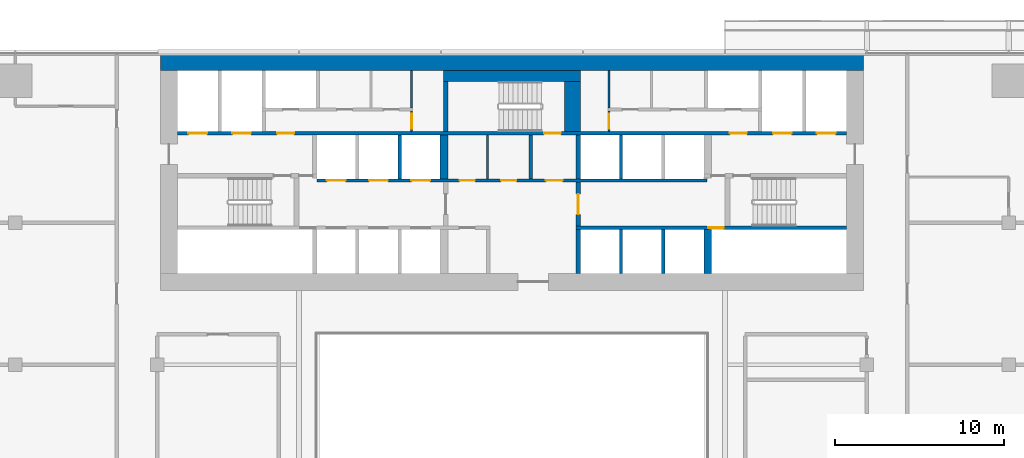
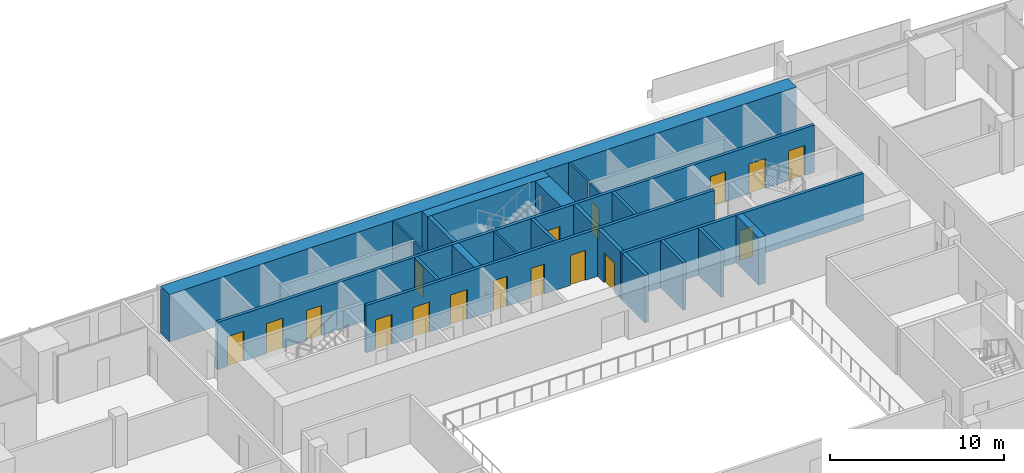
# One storey, part 22 of 30: 22 walls, 17 doors, 17 openings.
"""IFC4 building model written with IfcOpenShell, lengths in metres."""

from ifc_helpers import new_model, si_unit, direction, frame, frame_2d, origin, place, context, subcontext, project, spatial, rectangle, extrude, material, layer, layer_set, type_object, element, fill, save


model = new_model("IFC4")

# Units and contexts
model_context = context("Model", 3, precision=1e-05, world=origin(), true_north=direction((0.0, 1.0)))
body_context = subcontext(model_context, "Body", "Model", "MODEL_VIEW")
ifc_project = project(units=[si_unit("LENGTHUNIT", "METRE"), si_unit("AREAUNIT", "SQUARE_METRE"), si_unit("VOLUMEUNIT", "CUBIC_METRE"), si_unit("PLANEANGLEUNIT", "RADIAN"), si_unit("MASSUNIT", "GRAM", prefix="KILO")], contexts=[model_context])

# Site, building, storey
site_placement = place(None, origin())
site = spatial("IfcSite", under=ifc_project, at=site_placement, CompositionType="ELEMENT")
building_placement = place(site_placement, origin())
building = spatial("IfcBuilding", under=site, at=building_placement, Name="Saffron Gate Tower", CompositionType="ELEMENT")
storey_placement = place(building_placement, frame((0.0, 0.0, 95.25)))
storey = spatial("IfcBuildingStorey", under=building, at=storey_placement, Name="L21", CompositionType="ELEMENT", Elevation=95.25)

# Walls
ifc_material_1 = material(Name="Gypsum board partition on steel studs", Category="steel")
ifc_layer_1 = layer(ifc_material_1, 0.199951171875)
ifc_layer_set_1 = layer_set([ifc_layer_1], Name="CW10 Core partition 200")
wall_type_1 = type_object("IfcWallType", Name="CW10 Core partition 200", PredefinedType="PARTITIONING", material=ifc_layer_set_1)
wall_1_placement = place(storey_placement, frame((88.699951171875, 68.0, 0.0), z_axis=(0.0, 0.0, 1.0), x_axis=(0.0, 1.0, 0.0)))
element("IfcWall", 1, at=wall_1_placement, inside=storey, type_object=wall_type_1, Name="Wall CW10-L21-25", PredefinedType="PARTITIONING", context=body_context, shape_type="SweptSolid", body=[
    extrude(rectangle(XDim=2.60009765625, YDim=0.199951171875, at=frame_2d((1.300048828125, 0.0))), origin(), (0.0, 0.0, 1.0), 3.320068359375),
])
ifc_material_2 = material(Name="Concrete C70", Category="concrete")
ifc_layer_2 = layer(ifc_material_2, 1.0)
ifc_layer_set_2 = layer_set([ifc_layer_2], Name="CW12 RC core wall 1000 C70")
wall_type_2 = type_object("IfcWallType", Name="CW12 RC core wall 1000 C70", PredefinedType="SOLIDWALL", material=ifc_layer_set_2)
wall_2_placement = place(storey_placement, frame((66.800048828125, 74.89990234375, 0.0), z_axis=(0.0, 0.0, 1.0), x_axis=(1.0, 0.0, 0.0)))
element("IfcWall", 2, at=wall_2_placement, inside=storey, type_object=wall_type_2, Name="Wall CW12-L21-2", PredefinedType="SOLIDWALL", context=body_context, shape_type="SweptSolid", body=[
    extrude(rectangle(XDim=41.599853515625, YDim=1.0, at=frame_2d((20.7998046875, 0.0))), origin(), (0.0, 0.0, 1.0), 3.320068359375),
])
ifc_layer_3 = layer(ifc_material_2, 0.25)
ifc_layer_set_3 = layer_set([ifc_layer_3], Name="CW2 RC core wall 250 C70")
wall_type_3 = type_object("IfcWallType", Name="CW2 RC core wall 250 C70", PredefinedType="SOLIDWALL", material=ifc_layer_set_3)
wall_3_placement = place(storey_placement, frame((91.52490234375, 62.39990234375, 0.0), z_axis=(0.0, 0.0, 1.0), x_axis=(0.0, 1.0, 0.0)))
element("IfcWall", 3, at=wall_3_placement, inside=storey, type_object=wall_type_3, Name="Wall CW2-L21-10", PredefinedType="SOLIDWALL", context=body_context, shape_type="SweptSolid", body=[
    extrude(rectangle(XDim=2.60009765625, YDim=0.25, at=frame_2d((1.300048828125, 0.0))), origin(), (0.0, 0.0, 1.0), 3.320068359375),
])

# Wall, opening, door
wall_4_placement = place(storey_placement, frame((91.52490234375, 65.199951171875, 0.0), z_axis=(0.0, 0.0, 1.0), x_axis=(0.0, 1.0, 0.0)))
wall_4 = element("IfcWall", 4, at=wall_4_placement, inside=storey, type_object=wall_type_3, Name="Wall CW2-L21-18", PredefinedType="SOLIDWALL", context=body_context, shape_type="SweptSolid", body=[
    extrude(rectangle(XDim=2.60009765625, YDim=0.25, at=frame_2d((1.300048828125, 0.0))), origin(), (0.0, 0.0, 1.0), 3.320068359375),
])
opening_1_placement = place(wall_4_placement, frame((0.699951171875, 0.0, 0.0)))
opening_1 = element("IfcOpeningElement", 5, at=opening_1_placement, cuts=wall_4, Name="Opening CR-01", PredefinedType="OPENING", context=body_context, shape_type="SweptSolid", body=[
    extrude(rectangle(XDim=1.199951171875, YDim=2.10009765625, at=frame_2d((0.60009765625, 1.050048828125))), frame((0.0, 0.135009765625, 0.0), z_axis=(0.0, -1.0, 0.0), x_axis=(1.0, 0.0, 0.0)), (0.0, 0.0, 1.0), 0.27001953125),
])
ifc_material_3 = material(Name="Steel fire door set", Category="steel")
door_type_1 = type_object("IfcDoorType", Name="CD3 Lobby door 1200x2100 EI 120", OperationType="NOTDEFINED", PredefinedType="DOOR", material=ifc_material_3)
door_1_placement = place(opening_1_placement, origin())
door_1 = element("IfcDoor", 6, at=door_1_placement, inside=storey, type_object=door_type_1, Name="DOOR CR-01", OperationType="SINGLE_SWING_RIGHT", OverallHeight=2.10009765625, OverallWidth=1.199951171875, PredefinedType="DOOR", context=body_context, shape_type="SweptSolid", body=[
    extrude(rectangle(XDim=1.199951171875, YDim=2.10009765625, at=frame_2d((0.60009765625, 1.050048828125))), frame((0.0, 0.02490234375, 0.0), z_axis=(0.0, -1.0, 0.0), x_axis=(1.0, 0.0, 0.0)), (0.0, 0.0, 1.0), 0.050048828125),
])
fill(opening_1, door_1)

# Walls
wall_5_placement = place(storey_placement, frame((91.52490234375, 68.0, 0.0), z_axis=(0.0, 0.0, 1.0), x_axis=(0.0, 1.0, 0.0)))
element("IfcWall", 7, at=wall_5_placement, inside=storey, type_object=wall_type_3, Name="Wall CW2-L21-26", PredefinedType="SOLIDWALL", context=body_context, shape_type="SweptSolid", body=[
    extrude(rectangle(XDim=2.60009765625, YDim=0.25, at=frame_2d((1.300048828125, 0.0))), origin(), (0.0, 0.0, 1.0), 3.320068359375),
])
wall_6_placement = place(storey_placement, frame((83.675048828125, 70.800048828125, 0.0), z_axis=(0.0, 0.0, 1.0), x_axis=(0.0, 1.0, 0.0)))
element("IfcWall", 8, at=wall_6_placement, inside=storey, type_object=wall_type_3, Name="Wall CW2-L21-38", PredefinedType="SOLIDWALL", context=body_context, shape_type="SweptSolid", body=[
    extrude(rectangle(XDim=2.949951171875, YDim=0.25, at=frame_2d((1.47509765625, 0.0))), origin(), (0.0, 0.0, 1.0), 3.320068359375),
])
ifc_layer_4 = layer(ifc_material_2, 0.199951171875)
ifc_layer_set_4 = layer_set([ifc_layer_4], Name="CW3 RC core wall 200 C70")
wall_type_4 = type_object("IfcWallType", Name="CW3 RC core wall 200 C70", PredefinedType="SOLIDWALL", material=ifc_layer_set_4)
for number, where, z_axis, x_axis, name in (
    (9, (94.050048828125, 62.39990234375, 0.0), (0.0, 0.0, 1.0), (0.0, 1.0, 0.0), "Wall CW3-L21-11"),
    (10, (96.550048828125, 62.39990234375, 0.0), (0.0, 0.0, 1.0), (0.0, 1.0, 0.0), "Wall CW3-L21-12"),
):
    element("IfcWall", number, at=place(storey_placement, frame(where, z_axis=z_axis, x_axis=x_axis)), inside=storey, type_object=wall_type_4, Name=name, PredefinedType="SOLIDWALL", context=body_context, shape_type="SweptSolid", body=[
        extrude(rectangle(XDim=2.60009765625, YDim=0.199951171875, at=frame_2d((1.300048828125, 0.0))), origin(), (0.0, 0.0, 1.0), 3.320068359375),
    ])

# Wall, opening, door
wall_7_placement = place(storey_placement, frame((91.39990234375, 65.10009765625, 0.0), z_axis=(0.0, 0.0, 1.0), x_axis=(1.0, 0.0, 0.0)))
wall_7 = element("IfcWall", 11, at=wall_7_placement, inside=storey, type_object=wall_type_4, Name="Wall CW3-L21-15", PredefinedType="SOLIDWALL", context=body_context, shape_type="SweptSolid", body=[
    extrude(rectangle(XDim=16.0, YDim=0.199951171875, at=frame_2d((8.0, 0.0))), origin(), (0.0, 0.0, 1.0), 3.320068359375),
])
opening_2_placement = place(wall_7_placement, frame((7.830078125, 0.0, 0.0)))
opening_2 = element("IfcOpeningElement", 12, at=opening_2_placement, cuts=wall_7, Name="Opening CR-48", PredefinedType="OPENING", context=body_context, shape_type="SweptSolid", body=[
    extrude(rectangle(XDim=0.89990234375, YDim=2.10009765625, at=frame_2d((0.449951171875, 1.050048828125))), frame((0.0, 0.10986328125, 0.0), z_axis=(0.0, -1.0, 0.0), x_axis=(1.0, 0.0, 0.0)), (0.0, 0.0, 1.0), 0.219970703125),
])
door_type_2 = type_object("IfcDoorType", Name="CD2 Riser door 900x2100 EI 60", OperationType="NOTDEFINED", PredefinedType="DOOR", material=ifc_material_3)
door_2_placement = place(opening_2_placement, origin())
door_2 = element("IfcDoor", 13, at=door_2_placement, inside=storey, type_object=door_type_2, Name="DOOR CR-48", OperationType="SINGLE_SWING_RIGHT", OverallHeight=2.10009765625, OverallWidth=0.89990234375, PredefinedType="DOOR", context=body_context, shape_type="SweptSolid", body=[
    extrude(rectangle(XDim=0.89990234375, YDim=2.10009765625, at=frame_2d((0.449951171875, 1.050048828125))), frame((0.0, 0.02490234375, 0.0), z_axis=(0.0, -1.0, 0.0), x_axis=(1.0, 0.0, 0.0)), (0.0, 0.0, 1.0), 0.050048828125),
])
fill(opening_2, door_2)

# Wall, openings, doors
wall_8_placement = place(storey_placement, frame((76.050048828125, 67.89990234375, 0.0), z_axis=(0.0, 0.0, 1.0), x_axis=(1.0, 0.0, 0.0)))
wall_8 = element("IfcWall", 14, at=wall_8_placement, inside=storey, type_object=wall_type_4, Name="Wall CW3-L21-20", PredefinedType="SOLIDWALL", context=body_context, shape_type="SweptSolid", body=[
    extrude(rectangle(XDim=23.099853515625, YDim=0.199951171875, at=frame_2d((11.5498046875, 0.0))), origin(), (0.0, 0.0, 1.0), 3.320068359375),
])
opening_3_placement = place(wall_8_placement, frame((0.60009765625, 0.0, 0.0)))
opening_3 = element("IfcOpeningElement", 15, at=opening_3_placement, cuts=wall_8, Name="Opening LD-LR4", PredefinedType="OPENING", context=body_context, shape_type="SweptSolid", body=[
    extrude(rectangle(XDim=1.10009765625, YDim=2.10009765625, at=frame_2d((0.550048828125, 1.050048828125))), frame((0.0, 0.10986328125, 0.0), z_axis=(0.0, -1.0, 0.0), x_axis=(1.0, 0.0, 0.0)), (0.0, 0.0, 1.0), 0.219970703125),
])
opening_4_placement = place(wall_8_placement, frame((3.10009765625, 0.0, 0.0)))
opening_4 = element("IfcOpeningElement", 16, at=opening_4_placement, cuts=wall_8, Name="Opening LD-LR5", PredefinedType="OPENING", context=body_context, shape_type="SweptSolid", body=[
    extrude(rectangle(XDim=1.10009765625, YDim=2.10009765625, at=frame_2d((0.550048828125, 1.050048828125))), frame((0.0, 0.10986328125, 0.0), z_axis=(0.0, -1.0, 0.0), x_axis=(1.0, 0.0, 0.0)), (0.0, 0.0, 1.0), 0.219970703125),
])
opening_5_placement = place(wall_8_placement, frame((5.60009765625, 0.0, 0.0)))
opening_5 = element("IfcOpeningElement", 17, at=opening_5_placement, cuts=wall_8, Name="Opening LD-LR6", PredefinedType="OPENING", context=body_context, shape_type="SweptSolid", body=[
    extrude(rectangle(XDim=1.10009765625, YDim=2.10009765625, at=frame_2d((0.550048828125, 1.050048828125))), frame((0.0, 0.10986328125, 0.0), z_axis=(0.0, -1.0, 0.0), x_axis=(1.0, 0.0, 0.0)), (0.0, 0.0, 1.0), 0.219970703125),
])
opening_6_placement = place(wall_8_placement, frame((8.449951171875, 0.0, 0.0)))
opening_6 = element("IfcOpeningElement", 18, at=opening_6_placement, cuts=wall_8, Name="Opening CR-67", PredefinedType="OPENING", context=body_context, shape_type="SweptSolid", body=[
    extrude(rectangle(XDim=0.89990234375, YDim=2.10009765625, at=frame_2d((0.449951171875, 1.050048828125))), frame((0.0, 0.10986328125, 0.0), z_axis=(0.0, -1.0, 0.0), x_axis=(1.0, 0.0, 0.0)), (0.0, 0.0, 1.0), 0.219970703125),
])
opening_7_placement = place(wall_8_placement, frame((10.909912109375, 0.0, 0.0)))
opening_7 = element("IfcOpeningElement", 19, at=opening_7_placement, cuts=wall_8, Name="Opening CR-68", PredefinedType="OPENING", context=body_context, shape_type="SweptSolid", body=[
    extrude(rectangle(XDim=0.89990234375, YDim=2.10009765625, at=frame_2d((0.449951171875, 1.050048828125))), frame((0.0, 0.10986328125, 0.0), z_axis=(0.0, -1.0, 0.0), x_axis=(1.0, 0.0, 0.0)), (0.0, 0.0, 1.0), 0.219970703125),
])
opening_8_placement = place(wall_8_placement, frame((13.550048828125, 0.0, 0.0)))
opening_8 = element("IfcOpeningElement", 20, at=opening_8_placement, cuts=wall_8, Name="Opening CR-02", PredefinedType="OPENING", context=body_context, shape_type="SweptSolid", body=[
    extrude(rectangle(XDim=1.0, YDim=2.10009765625, at=frame_2d((0.5, 1.050048828125))), frame((0.0, 0.10986328125, 0.0), z_axis=(0.0, -1.0, 0.0), x_axis=(1.0, 0.0, 0.0)), (0.0, 0.0, 1.0), 0.219970703125),
])
door_type_3 = type_object("IfcDoorType", Name="CD4 Lobby door 1000x2100 EI 120", OperationType="NOTDEFINED", PredefinedType="DOOR", material=ifc_material_3)
door_3_placement = place(opening_8_placement, origin())
door_3 = element("IfcDoor", 21, at=door_3_placement, inside=storey, type_object=door_type_3, Name="DOOR CR-02", OperationType="SINGLE_SWING_LEFT", OverallHeight=2.10009765625, OverallWidth=1.0, PredefinedType="DOOR", context=body_context, shape_type="SweptSolid", body=[
    extrude(rectangle(XDim=1.0, YDim=2.10009765625, at=frame_2d((0.5, 1.050048828125))), frame((0.0, 0.02490234375, 0.0), z_axis=(0.0, -1.0, 0.0), x_axis=(1.0, 0.0, 0.0)), (0.0, 0.0, 1.0), 0.050048828125),
])
fill(opening_8, door_3)
door_type_4 = type_object("IfcDoorType", Name="CD9 Room door 900x2100 EI 60", OperationType="NOTDEFINED", PredefinedType="DOOR", material=ifc_material_3)
door_4_placement = place(opening_6_placement, origin())
door_4 = element("IfcDoor", 22, at=door_4_placement, inside=storey, type_object=door_type_4, Name="DOOR CR-67", OperationType="SINGLE_SWING_LEFT", OverallHeight=2.10009765625, OverallWidth=0.89990234375, PredefinedType="DOOR", context=body_context, shape_type="SweptSolid", body=[
    extrude(rectangle(XDim=0.89990234375, YDim=2.10009765625, at=frame_2d((0.449951171875, 1.050048828125))), frame((0.0, 0.02490234375, 0.0), z_axis=(0.0, -1.0, 0.0), x_axis=(1.0, 0.0, 0.0)), (0.0, 0.0, 1.0), 0.050048828125),
])
fill(opening_6, door_4)
door_5_placement = place(opening_7_placement, origin())
door_5 = element("IfcDoor", 23, at=door_5_placement, inside=storey, type_object=door_type_4, Name="DOOR CR-68", OperationType="SINGLE_SWING_LEFT", OverallHeight=2.10009765625, OverallWidth=0.89990234375, PredefinedType="DOOR", context=body_context, shape_type="SweptSolid", body=[
    extrude(rectangle(XDim=0.89990234375, YDim=2.10009765625, at=frame_2d((0.449951171875, 1.050048828125))), frame((0.0, 0.02490234375, 0.0), z_axis=(0.0, -1.0, 0.0), x_axis=(1.0, 0.0, 0.0)), (0.0, 0.0, 1.0), 0.050048828125),
])
fill(opening_7, door_5)
ifc_material_4 = material(Name="Stainless steel landing door", Category="steel")
door_type_5 = type_object("IfcDoorType", Name="LD Lift landing door 1100x2100 EI 120", OperationType="SLIDING_TO_LEFT", PredefinedType="DOOR", material=ifc_material_4)
door_6_placement = place(opening_3_placement, origin())
door_6 = element("IfcDoor", 24, at=door_6_placement, inside=storey, type_object=door_type_5, Name="LANDING DOOR LD-LR4", OperationType="SLIDING_TO_RIGHT", OverallHeight=2.10009765625, OverallWidth=1.10009765625, PredefinedType="DOOR", context=body_context, shape_type="SweptSolid", body=[
    extrude(rectangle(XDim=1.10009765625, YDim=2.10009765625, at=frame_2d((0.550048828125, 1.050048828125))), frame((0.0, 0.02490234375, 0.0), z_axis=(0.0, -1.0, 0.0), x_axis=(1.0, 0.0, 0.0)), (0.0, 0.0, 1.0), 0.050048828125),
])
fill(opening_3, door_6)
door_7_placement = place(opening_4_placement, origin())
door_7 = element("IfcDoor", 25, at=door_7_placement, inside=storey, type_object=door_type_5, Name="LANDING DOOR LD-LR5", OperationType="SLIDING_TO_RIGHT", OverallHeight=2.10009765625, OverallWidth=1.10009765625, PredefinedType="DOOR", context=body_context, shape_type="SweptSolid", body=[
    extrude(rectangle(XDim=1.10009765625, YDim=2.10009765625, at=frame_2d((0.550048828125, 1.050048828125))), frame((0.0, 0.02490234375, 0.0), z_axis=(0.0, -1.0, 0.0), x_axis=(1.0, 0.0, 0.0)), (0.0, 0.0, 1.0), 0.050048828125),
])
fill(opening_4, door_7)
door_8_placement = place(opening_5_placement, origin())
door_8 = element("IfcDoor", 26, at=door_8_placement, inside=storey, type_object=door_type_5, Name="LANDING DOOR LD-LR6", OperationType="SLIDING_TO_RIGHT", OverallHeight=2.10009765625, OverallWidth=1.10009765625, PredefinedType="DOOR", context=body_context, shape_type="SweptSolid", body=[
    extrude(rectangle(XDim=1.10009765625, YDim=2.10009765625, at=frame_2d((0.550048828125, 1.050048828125))), frame((0.0, 0.02490234375, 0.0), z_axis=(0.0, -1.0, 0.0), x_axis=(1.0, 0.0, 0.0)), (0.0, 0.0, 1.0), 0.050048828125),
])
fill(opening_5, door_8)

# Walls
for number, where, z_axis, x_axis, name in (
    (27, (80.949951171875, 68.0, 0.0), (0.0, 0.0, 1.0), (0.0, 1.0, 0.0), "Wall CW3-L21-22"),
    (28, (94.050048828125, 68.0, 0.0), (0.0, 0.0, 1.0), (0.0, 1.0, 0.0), "Wall CW3-L21-27"),
):
    element("IfcWall", number, at=place(storey_placement, frame(where, z_axis=z_axis, x_axis=x_axis)), inside=storey, type_object=wall_type_4, Name=name, PredefinedType="SOLIDWALL", context=body_context, shape_type="SweptSolid", body=[
        extrude(rectangle(XDim=2.60009765625, YDim=0.199951171875, at=frame_2d((1.300048828125, 0.0))), origin(), (0.0, 0.0, 1.0), 3.320068359375),
    ])

# Wall, openings, doors
wall_9_placement = place(storey_placement, frame((67.800048828125, 70.699951171875, 0.0), z_axis=(0.0, 0.0, 1.0), x_axis=(1.0, 0.0, 0.0)))
wall_9 = element("IfcWall", 29, at=wall_9_placement, inside=storey, type_object=wall_type_4, Name="Wall CW3-L21-34", PredefinedType="SOLIDWALL", context=body_context, shape_type="SweptSolid", body=[
    extrude(rectangle(XDim=39.599853515625, YDim=0.199951171875, at=frame_2d((19.7998046875, 0.0))), origin(), (0.0, 0.0, 1.0), 3.320068359375),
])
opening_9_placement = place(wall_9_placement, frame((0.64990234375, 0.0, 0.0)))
opening_9 = element("IfcOpeningElement", 30, at=opening_9_placement, cuts=wall_9, Name="Opening LD-FF1", PredefinedType="OPENING", context=body_context, shape_type="SweptSolid", body=[
    extrude(rectangle(XDim=1.10009765625, YDim=2.10009765625, at=frame_2d((0.550048828125, 1.050048828125))), frame((0.0, 0.10986328125, 0.0), z_axis=(0.0, -1.0, 0.0), x_axis=(1.0, 0.0, 0.0)), (0.0, 0.0, 1.0), 0.219970703125),
])
opening_10_placement = place(wall_9_placement, frame((3.25, 0.0, 0.0)))
opening_10 = element("IfcOpeningElement", 31, at=opening_10_placement, cuts=wall_9, Name="Opening LD-SV1", PredefinedType="OPENING", context=body_context, shape_type="SweptSolid", body=[
    extrude(rectangle(XDim=1.10009765625, YDim=2.10009765625, at=frame_2d((0.550048828125, 1.050048828125))), frame((0.0, 0.10986328125, 0.0), z_axis=(0.0, -1.0, 0.0), x_axis=(1.0, 0.0, 0.0)), (0.0, 0.0, 1.0), 0.219970703125),
])
opening_11_placement = place(wall_9_placement, frame((5.89990234375, 0.0, 0.0)))
opening_11 = element("IfcOpeningElement", 32, at=opening_11_placement, cuts=wall_9, Name="Opening CR-03", PredefinedType="OPENING", context=body_context, shape_type="SweptSolid", body=[
    extrude(rectangle(XDim=1.0, YDim=2.10009765625, at=frame_2d((0.5, 1.050048828125))), frame((0.0, 0.10986328125, 0.0), z_axis=(0.0, -1.0, 0.0), x_axis=(1.0, 0.0, 0.0)), (0.0, 0.0, 1.0), 0.219970703125),
])
opening_12_placement = place(wall_9_placement, frame((21.699951171875, 0.0, 0.0)))
opening_12 = element("IfcOpeningElement", 33, at=opening_12_placement, cuts=wall_9, Name="Opening CR-17", PredefinedType="OPENING", context=body_context, shape_type="SweptSolid", body=[
    extrude(rectangle(XDim=1.0, YDim=2.10009765625, at=frame_2d((0.5, 1.050048828125))), frame((0.0, 0.10986328125, 0.0), z_axis=(0.0, -1.0, 0.0), x_axis=(1.0, 0.0, 0.0)), (0.0, 0.0, 1.0), 0.219970703125),
])
opening_13_placement = place(wall_9_placement, frame((32.699951171875, 0.0, 0.0)))
opening_13 = element("IfcOpeningElement", 34, at=opening_13_placement, cuts=wall_9, Name="Opening CR-04", PredefinedType="OPENING", context=body_context, shape_type="SweptSolid", body=[
    extrude(rectangle(XDim=1.0, YDim=2.10009765625, at=frame_2d((0.5, 1.050048828125))), frame((0.0, 0.10986328125, 0.0), z_axis=(0.0, -1.0, 0.0), x_axis=(1.0, 0.0, 0.0)), (0.0, 0.0, 1.0), 0.219970703125),
])
opening_14_placement = place(wall_9_placement, frame((35.25, 0.0, 0.0)))
opening_14 = element("IfcOpeningElement", 35, at=opening_14_placement, cuts=wall_9, Name="Opening LD-SV2", PredefinedType="OPENING", context=body_context, shape_type="SweptSolid", body=[
    extrude(rectangle(XDim=1.10009765625, YDim=2.10009765625, at=frame_2d((0.550048828125, 1.050048828125))), frame((0.0, 0.10986328125, 0.0), z_axis=(0.0, -1.0, 0.0), x_axis=(1.0, 0.0, 0.0)), (0.0, 0.0, 1.0), 0.219970703125),
])
opening_15_placement = place(wall_9_placement, frame((37.85009765625, 0.0, 0.0)))
opening_15 = element("IfcOpeningElement", 36, at=opening_15_placement, cuts=wall_9, Name="Opening LD-FF2", PredefinedType="OPENING", context=body_context, shape_type="SweptSolid", body=[
    extrude(rectangle(XDim=1.10009765625, YDim=2.10009765625, at=frame_2d((0.550048828125, 1.050048828125))), frame((0.0, 0.10986328125, 0.0), z_axis=(0.0, -1.0, 0.0), x_axis=(1.0, 0.0, 0.0)), (0.0, 0.0, 1.0), 0.219970703125),
])
door_9_placement = place(opening_11_placement, origin())
door_9 = element("IfcDoor", 37, at=door_9_placement, inside=storey, type_object=door_type_3, Name="DOOR CR-03", OperationType="SINGLE_SWING_LEFT", OverallHeight=2.10009765625, OverallWidth=1.0, PredefinedType="DOOR", context=body_context, shape_type="SweptSolid", body=[
    extrude(rectangle(XDim=1.0, YDim=2.10009765625, at=frame_2d((0.5, 1.050048828125))), frame((0.0, 0.02490234375, 0.0), z_axis=(0.0, -1.0, 0.0), x_axis=(1.0, 0.0, 0.0)), (0.0, 0.0, 1.0), 0.050048828125),
])
fill(opening_11, door_9)
door_10_placement = place(opening_13_placement, origin())
door_10 = element("IfcDoor", 38, at=door_10_placement, inside=storey, type_object=door_type_3, Name="DOOR CR-04", OperationType="SINGLE_SWING_RIGHT", OverallHeight=2.10009765625, OverallWidth=1.0, PredefinedType="DOOR", context=body_context, shape_type="SweptSolid", body=[
    extrude(rectangle(XDim=1.0, YDim=2.10009765625, at=frame_2d((0.5, 1.050048828125))), frame((0.0, 0.02490234375, 0.0), z_axis=(0.0, -1.0, 0.0), x_axis=(1.0, 0.0, 0.0)), (0.0, 0.0, 1.0), 0.050048828125),
])
fill(opening_13, door_10)
door_type_6 = type_object("IfcDoorType", Name="CD5 Stair door 1000x2100 EI 120", OperationType="NOTDEFINED", PredefinedType="DOOR", material=ifc_material_3)
door_11_placement = place(opening_12_placement, origin())
door_11 = element("IfcDoor", 39, at=door_11_placement, inside=storey, type_object=door_type_6, Name="DOOR CR-17", OperationType="SINGLE_SWING_RIGHT", OverallHeight=2.10009765625, OverallWidth=1.0, PredefinedType="DOOR", context=body_context, shape_type="SweptSolid", body=[
    extrude(rectangle(XDim=1.0, YDim=2.10009765625, at=frame_2d((0.5, 1.050048828125))), frame((0.0, 0.02490234375, 0.0), z_axis=(0.0, -1.0, 0.0), x_axis=(1.0, 0.0, 0.0)), (0.0, 0.0, 1.0), 0.050048828125),
])
fill(opening_12, door_11)
door_12_placement = place(opening_9_placement, origin())
door_12 = element("IfcDoor", 40, at=door_12_placement, inside=storey, type_object=door_type_5, Name="LANDING DOOR LD-FF1", OperationType="SLIDING_TO_RIGHT", OverallHeight=2.10009765625, OverallWidth=1.10009765625, PredefinedType="DOOR", context=body_context, shape_type="SweptSolid", body=[
    extrude(rectangle(XDim=1.10009765625, YDim=2.10009765625, at=frame_2d((0.550048828125, 1.050048828125))), frame((0.0, 0.02490234375, 0.0), z_axis=(0.0, -1.0, 0.0), x_axis=(1.0, 0.0, 0.0)), (0.0, 0.0, 1.0), 0.050048828125),
])
fill(opening_9, door_12)
door_13_placement = place(opening_10_placement, origin())
door_13 = element("IfcDoor", 41, at=door_13_placement, inside=storey, type_object=door_type_5, Name="LANDING DOOR LD-SV1", OperationType="SLIDING_TO_RIGHT", OverallHeight=2.10009765625, OverallWidth=1.10009765625, PredefinedType="DOOR", context=body_context, shape_type="SweptSolid", body=[
    extrude(rectangle(XDim=1.10009765625, YDim=2.10009765625, at=frame_2d((0.550048828125, 1.050048828125))), frame((0.0, 0.02490234375, 0.0), z_axis=(0.0, -1.0, 0.0), x_axis=(1.0, 0.0, 0.0)), (0.0, 0.0, 1.0), 0.050048828125),
])
fill(opening_10, door_13)
door_14_placement = place(opening_14_placement, origin())
door_14 = element("IfcDoor", 42, at=door_14_placement, inside=storey, type_object=door_type_5, Name="LANDING DOOR LD-SV2", OperationType="SLIDING_TO_RIGHT", OverallHeight=2.10009765625, OverallWidth=1.10009765625, PredefinedType="DOOR", context=body_context, shape_type="SweptSolid", body=[
    extrude(rectangle(XDim=1.10009765625, YDim=2.10009765625, at=frame_2d((0.550048828125, 1.050048828125))), frame((0.0, 0.02490234375, 0.0), z_axis=(0.0, -1.0, 0.0), x_axis=(1.0, 0.0, 0.0)), (0.0, 0.0, 1.0), 0.050048828125),
])
fill(opening_14, door_14)
door_15_placement = place(opening_15_placement, origin())
door_15 = element("IfcDoor", 43, at=door_15_placement, inside=storey, type_object=door_type_5, Name="LANDING DOOR LD-FF2", OperationType="SLIDING_TO_RIGHT", OverallHeight=2.10009765625, OverallWidth=1.10009765625, PredefinedType="DOOR", context=body_context, shape_type="SweptSolid", body=[
    extrude(rectangle(XDim=1.10009765625, YDim=2.10009765625, at=frame_2d((0.550048828125, 1.050048828125))), frame((0.0, 0.02490234375, 0.0), z_axis=(0.0, -1.0, 0.0), x_axis=(1.0, 0.0, 0.0)), (0.0, 0.0, 1.0), 0.050048828125),
])
fill(opening_15, door_15)

# Walls
ifc_layer_5 = layer(ifc_material_2, 0.449951171875)
ifc_layer_set_5 = layer_set([ifc_layer_5], Name="CW4 RC core wall 450 C70")
wall_type_5 = type_object("IfcWallType", Name="CW4 RC core wall 450 C70", PredefinedType="SOLIDWALL", material=ifc_layer_set_5)
for number, where, z_axis, x_axis, name in (
    (44, (99.175048828125, 62.39990234375, 0.0), (0.0, 0.0, 1.0), (0.0, 1.0, 0.0), "Wall CW4-L21-13"),
    (45, (83.574951171875, 68.0, 0.0), (0.0, 0.0, 1.0), (0.0, 1.0, 0.0), "Wall CW4-L21-23"),
):
    element("IfcWall", number, at=place(storey_placement, frame(where, z_axis=z_axis, x_axis=x_axis)), inside=storey, type_object=wall_type_5, Name=name, PredefinedType="SOLIDWALL", context=body_context, shape_type="SweptSolid", body=[
        extrude(rectangle(XDim=2.60009765625, YDim=0.449951171875, at=frame_2d((1.300048828125, 0.0))), origin(), (0.0, 0.0, 1.0), 3.320068359375),
    ])
ifc_layer_6 = layer(ifc_material_2, 0.949951171875)
ifc_layer_set_6 = layer_set([ifc_layer_6], Name="CW7 RC core wall 950 C70")
wall_type_6 = type_object("IfcWallType", Name="CW7 RC core wall 950 C70", PredefinedType="SOLIDWALL", material=ifc_layer_set_6)
wall_10_placement = place(storey_placement, frame((91.175048828125, 70.800048828125, 0.0), z_axis=(0.0, 0.0, 1.0), x_axis=(0.0, 1.0, 0.0)))
element("IfcWall", 46, at=wall_10_placement, inside=storey, type_object=wall_type_6, Name="Wall CW7-L21-39", PredefinedType="SOLIDWALL", context=body_context, shape_type="SweptSolid", body=[
    extrude(rectangle(XDim=2.949951171875, YDim=0.949951171875, at=frame_2d((1.47509765625, 0.0))), origin(), (0.0, 0.0, 1.0), 3.320068359375),
])
ifc_layer_7 = layer(ifc_material_1, 0.1201171875)
ifc_layer_set_7 = layer_set([ifc_layer_7], Name="CW8 Core partition 120")
wall_type_7 = type_object("IfcWallType", Name="CW8 Core partition 120", PredefinedType="PARTITIONING", material=ifc_layer_set_7)
wall_11_placement = place(storey_placement, frame((86.159912109375, 68.0, 0.0), z_axis=(0.0, 0.0, 1.0), x_axis=(0.0, 1.0, 0.0)))
element("IfcWall", 47, at=wall_11_placement, inside=storey, type_object=wall_type_7, Name="Wall CW8-L21-24", PredefinedType="PARTITIONING", context=body_context, shape_type="SweptSolid", body=[
    extrude(rectangle(XDim=2.60009765625, YDim=0.1201171875, at=frame_2d((1.300048828125, 0.0))), origin(), (0.0, 0.0, 1.0), 3.320068359375),
])

# Wall, opening, door
wall_12_placement = place(storey_placement, frame((81.659912109375, 70.800048828125, 0.0), z_axis=(0.0, 0.0, 1.0), x_axis=(0.0, 1.0, 0.0)))
wall_12 = element("IfcWall", 48, at=wall_12_placement, inside=storey, type_object=wall_type_7, Name="Wall CW8-L21-37", PredefinedType="PARTITIONING", context=body_context, shape_type="SweptSolid", body=[
    extrude(rectangle(XDim=1.199951171875, YDim=0.1201171875, at=frame_2d((0.60009765625, 0.0))), origin(), (0.0, 0.0, 1.0), 3.320068359375),
])
opening_16_placement = place(wall_12_placement, frame((0.14990234375, 0.0, 0.0)))
opening_16 = element("IfcOpeningElement", 49, at=opening_16_placement, cuts=wall_12, Name="Opening CR-60", PredefinedType="OPENING", context=body_context, shape_type="SweptSolid", body=[
    extrude(rectangle(XDim=0.89990234375, YDim=2.10009765625, at=frame_2d((0.449951171875, 1.050048828125))), frame((0.0, 0.070068359375, 0.0), z_axis=(0.0, -1.0, 0.0), x_axis=(1.0, 0.0, 0.0)), (0.0, 0.0, 1.0), 0.14013671875),
])
door_16_placement = place(opening_16_placement, origin())
door_16 = element("IfcDoor", 50, at=door_16_placement, inside=storey, type_object=door_type_4, Name="DOOR CR-60", OperationType="SINGLE_SWING_RIGHT", OverallHeight=2.10009765625, OverallWidth=0.89990234375, PredefinedType="DOOR", context=body_context, shape_type="SweptSolid", body=[
    extrude(rectangle(XDim=0.89990234375, YDim=2.10009765625, at=frame_2d((0.449951171875, 1.050048828125))), frame((0.0, 0.02490234375, 0.0), z_axis=(0.0, -1.0, 0.0), x_axis=(1.0, 0.0, 0.0)), (0.0, 0.0, 1.0), 0.050048828125),
])
fill(opening_16, door_16)

wall_13_placement = place(storey_placement, frame((93.340087890625, 70.800048828125, 0.0), z_axis=(0.0, 0.0, 1.0), x_axis=(0.0, 1.0, 0.0)))
wall_13 = element("IfcWall", 51, at=wall_13_placement, inside=storey, type_object=wall_type_7, Name="Wall CW8-L21-40", PredefinedType="PARTITIONING", context=body_context, shape_type="SweptSolid", body=[
    extrude(rectangle(XDim=1.199951171875, YDim=0.1201171875, at=frame_2d((0.60009765625, 0.0))), origin(), (0.0, 0.0, 1.0), 3.320068359375),
])
opening_17_placement = place(wall_13_placement, frame((0.14990234375, 0.0, 0.0)))
opening_17 = element("IfcOpeningElement", 52, at=opening_17_placement, cuts=wall_13, Name="Opening CR-54", PredefinedType="OPENING", context=body_context, shape_type="SweptSolid", body=[
    extrude(rectangle(XDim=0.89990234375, YDim=2.10009765625, at=frame_2d((0.449951171875, 1.050048828125))), frame((0.0, 0.070068359375, 0.0), z_axis=(0.0, -1.0, 0.0), x_axis=(1.0, 0.0, 0.0)), (0.0, 0.0, 1.0), 0.14013671875),
])
door_17_placement = place(opening_17_placement, origin())
door_17 = element("IfcDoor", 53, at=door_17_placement, inside=storey, type_object=door_type_4, Name="DOOR CR-54", OperationType="SINGLE_SWING_LEFT", OverallHeight=2.10009765625, OverallWidth=0.89990234375, PredefinedType="DOOR", context=body_context, shape_type="SweptSolid", body=[
    extrude(rectangle(XDim=0.89990234375, YDim=2.10009765625, at=frame_2d((0.449951171875, 1.050048828125))), frame((0.0, 0.02490234375, 0.0), z_axis=(0.0, -1.0, 0.0), x_axis=(1.0, 0.0, 0.0)), (0.0, 0.0, 1.0), 0.050048828125),
])
fill(opening_17, door_17)

# Walls
for number, where, z_axis, x_axis, name in (
    (54, (81.659912109375, 72.199951171875, 0.0), (0.0, 0.0, 1.0), (0.0, 1.0, 0.0), "Wall CW8-L21-48"),
    (55, (93.340087890625, 72.199951171875, 0.0), (0.0, 0.0, 1.0), (0.0, 1.0, 0.0), "Wall CW8-L21-49"),
):
    element("IfcWall", number, at=place(storey_placement, frame(where, z_axis=z_axis, x_axis=x_axis)), inside=storey, type_object=wall_type_7, Name=name, PredefinedType="PARTITIONING", context=body_context, shape_type="SweptSolid", body=[
        extrude(rectangle(XDim=2.199951171875, YDim=0.1201171875, at=frame_2d((1.10009765625, 0.0))), origin(), (0.0, 0.0, 1.0), 3.320068359375),
    ])
ifc_layer_8 = layer(ifc_material_2, 0.64990234375)
ifc_layer_set_8 = layer_set([ifc_layer_8], Name="CW9 RC core wall 650 C70")
wall_type_8 = type_object("IfcWallType", Name="CW9 RC core wall 650 C70", PredefinedType="SOLIDWALL", material=ifc_layer_set_8)
wall_14_placement = place(storey_placement, frame((83.550048828125, 74.074951171875, 0.0), z_axis=(0.0, 0.0, 1.0), x_axis=(1.0, 0.0, 0.0)))
element("IfcWall", 56, at=wall_14_placement, inside=storey, type_object=wall_type_8, Name="Wall CW9-L21-53", PredefinedType="SOLIDWALL", context=body_context, shape_type="SweptSolid", body=[
    extrude(rectangle(XDim=8.099853515625, YDim=0.64990234375, at=frame_2d((4.0498046875, 0.0))), origin(), (0.0, 0.0, 1.0), 3.320068359375),
])

save(model, "model.ifc")
